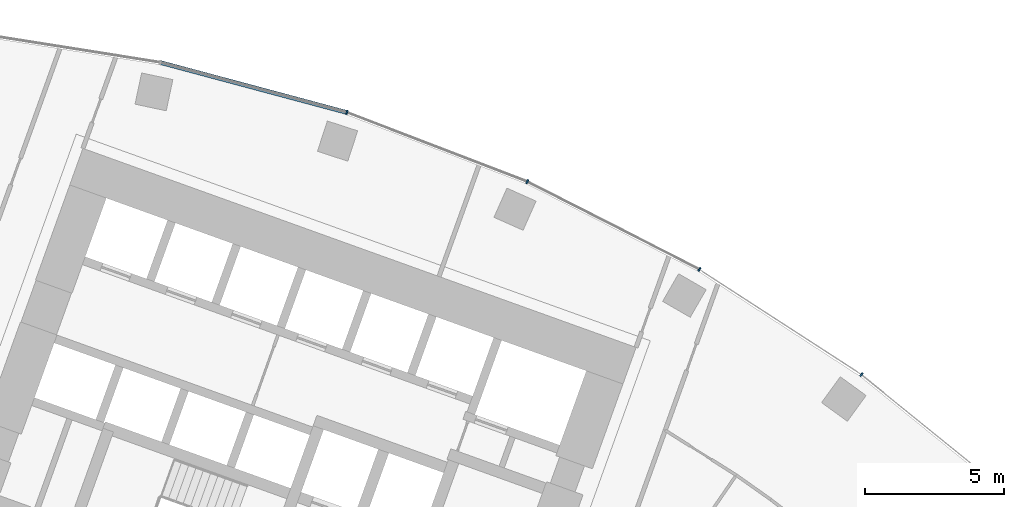
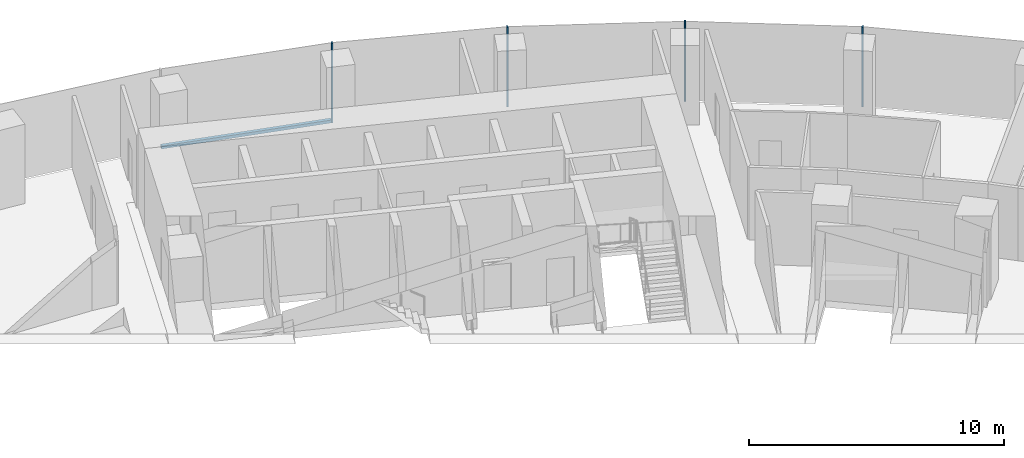
# One storey, part 10 of 21: 5 members, 1 element without a shape of its own.
"""IFC4 building model written with IfcOpenShell, lengths in metres."""

from ifc_helpers import new_model, si_unit, direction, frame, origin, origin_2d, place, context, subcontext, project, spatial, rectangle, extrude, material, layer, layer_set, material_profile, profile_set, type_object, element, aggregate, save


model = new_model("IFC4")

# Units and contexts
model_context = context("Model", 3, precision=1e-05, world=origin(), true_north=direction((0.0, 1.0)))
body_context = subcontext(model_context, "Body", "Model", "MODEL_VIEW")
ifc_project = project(units=[si_unit("LENGTHUNIT", "METRE"), si_unit("AREAUNIT", "SQUARE_METRE"), si_unit("VOLUMEUNIT", "CUBIC_METRE"), si_unit("PLANEANGLEUNIT", "RADIAN"), si_unit("MASSUNIT", "GRAM", prefix="KILO")], contexts=[model_context])

# Site, building, storey
site_placement = place(None, origin())
site = spatial("IfcSite", under=ifc_project, at=site_placement, CompositionType="ELEMENT")
building_placement = place(site_placement, origin())
building = spatial("IfcBuilding", under=site, at=building_placement, Name="Stone Belt Terrace Tower", CompositionType="ELEMENT")
storey_placement = place(building_placement, frame((0.0, 0.0, 113.60009765625)))
storey = spatial("IfcBuildingStorey", under=building, at=storey_placement, Name="L27", CompositionType="ELEMENT", Elevation=113.60009765625)

# Curtain wall, members
ifc_material = material(Name="Aluminium 6063-T6 anodised frame", Category="aluminium")
ifc_layer = layer(ifc_material, 0.14990234375)
ifc_layer_set = layer_set([ifc_layer], Name="CW-A unitised convex-face curtain wall")
curtain_wall_type = type_object("IfcCurtainWallType", Name="CW-A unitised convex-face curtain wall", PredefinedType="NOTDEFINED", material=ifc_layer_set)
curtain_wall_placement = place(storey_placement, origin())
curtain_wall = element("IfcCurtainWall", 1, at=curtain_wall_placement, inside=storey, type_object=curtain_wall_type, Name="CW-A convex face L27", PredefinedType="NOTDEFINED")
ifc_material_profile_1 = material_profile(ifc_material, rectangle(XDim=0.14990234375, YDim=0.06005859375, at=origin_2d()), Name="Aluminium 6063-T6 60x150")
ifc_profile_set_1 = profile_set([ifc_material_profile_1], Name="Aluminium 6063-T6 anodised frame")
member_type_1 = type_object("IfcMemberType", Name="CW-A mullion 60 x 150", PredefinedType="MULLION", material=ifc_profile_set_1)
member_1_placement = place(storey_placement, frame((39.1318359375, 53.8603515625, 0.0), z_axis=(0.0, 0.0, 1.0), x_axis=(-0.587785252292, -0.809016994375, 0.0)))
member_1 = element("IfcMember", 2, at=member_1_placement, type_object=member_type_1, Name="CW-A mullion 4", PredefinedType="MULLION", context=body_context, shape_type="SweptSolid", body=[
    extrude(rectangle(XDim=0.14990234375, YDim=0.06005859375, at=origin_2d()), origin(), (0.0, 0.0, 1.0), 3.7998046875),
])
member_2_placement = place(storey_placement, frame((33.28759765625, 57.65576171875, 0.0), z_axis=(0.0, 0.0, 1.0), x_axis=(-0.5, -0.866025403784, 0.0)))
member_2 = element("IfcMember", 3, at=member_2_placement, type_object=member_type_1, Name="CW-A mullion 5", PredefinedType="MULLION", context=body_context, shape_type="SweptSolid", body=[
    extrude(rectangle(XDim=0.14990234375, YDim=0.06005859375, at=origin_2d()), origin(), (0.0, 0.0, 1.0), 3.7998046875),
])
member_3_placement = place(storey_placement, frame((27.07861328125, 60.8193359375, 0.0), z_axis=(0.0, 0.0, 1.0), x_axis=(-0.406736643076, -0.913545457643, 0.0)))
member_3 = element("IfcMember", 4, at=member_3_placement, type_object=member_type_1, Name="CW-A mullion 6", PredefinedType="MULLION", context=body_context, shape_type="SweptSolid", body=[
    extrude(rectangle(XDim=0.14990234375, YDim=0.06005859375, at=origin_2d()), origin(), (0.0, 0.0, 1.0), 3.7998046875),
])
member_4_placement = place(storey_placement, frame((20.57275390625, 63.316650390625, 0.0), z_axis=(0.0, 0.0, 1.0), x_axis=(-0.309016994375, -0.951056516295, 0.0)))
member_4 = element("IfcMember", 5, at=member_4_placement, type_object=member_type_1, Name="CW-A mullion 7", PredefinedType="MULLION", context=body_context, shape_type="SweptSolid", body=[
    extrude(rectangle(XDim=0.14990234375, YDim=0.06005859375, at=origin_2d()), origin(), (0.0, 0.0, 1.0), 3.7998046875),
])
ifc_material_profile_2 = material_profile(ifc_material, rectangle(XDim=0.14990234375, YDim=0.139892578125, at=origin_2d()), Name="Aluminium 6063-T6 150x140")
ifc_profile_set_2 = profile_set([ifc_material_profile_2], Name="Aluminium 6063-T6 anodised frame")
member_type_2 = type_object("IfcMemberType", Name="CW-A transom 140 x 150", PredefinedType="USERDEFINED", material=ifc_profile_set_2)
member_5_placement = place(storey_placement, frame((20.5400390625, 63.325439453125, 0.06982421875), z_axis=(-0.965921835863, 0.258833937117, 0.0), x_axis=(-0.258833937117, -0.965921835863, 0.0)))
member_5 = element("IfcMember", 6, at=member_5_placement, type_object=member_type_2, Name="CW-A transom 7.1", ObjectType="TRANSOM", PredefinedType="USERDEFINED", context=body_context, shape_type="SweptSolid", body=[
    extrude(rectangle(XDim=0.14990234375, YDim=0.139892578125, at=origin_2d()), origin(), (0.0, 0.0, 1.0), 6.900634765625),
])
aggregate(curtain_wall, [member_1, member_2, member_3, member_4, member_5])

save(model, "model.ifc")
